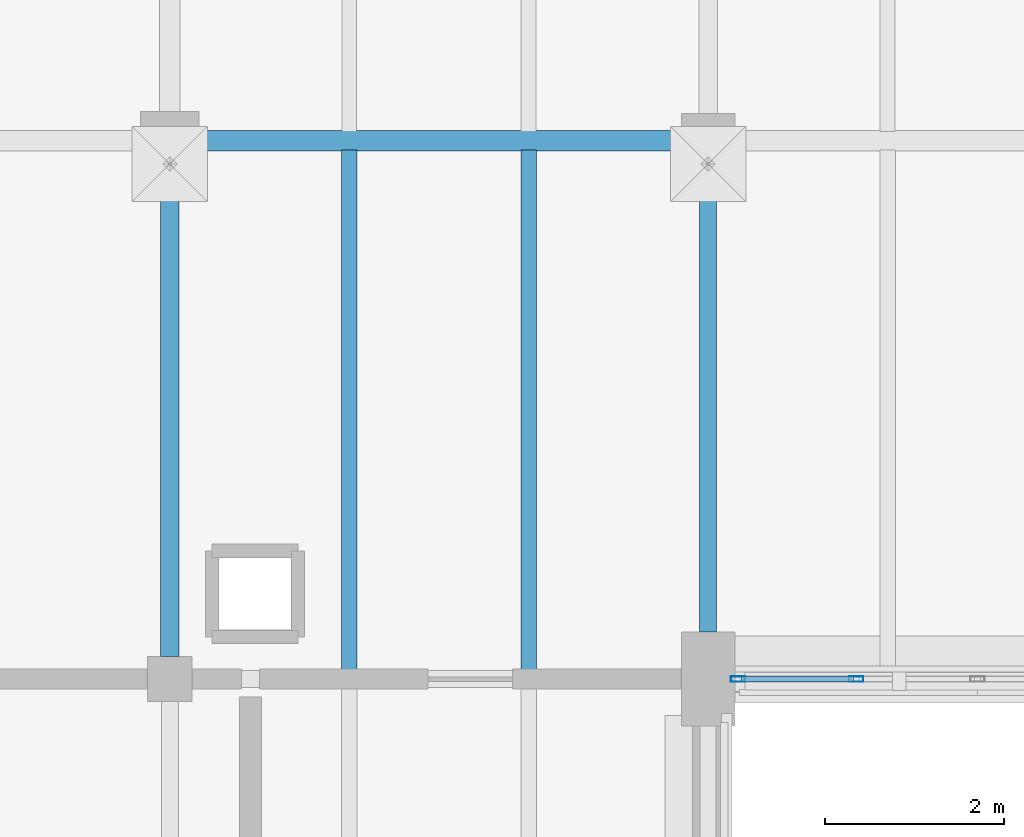
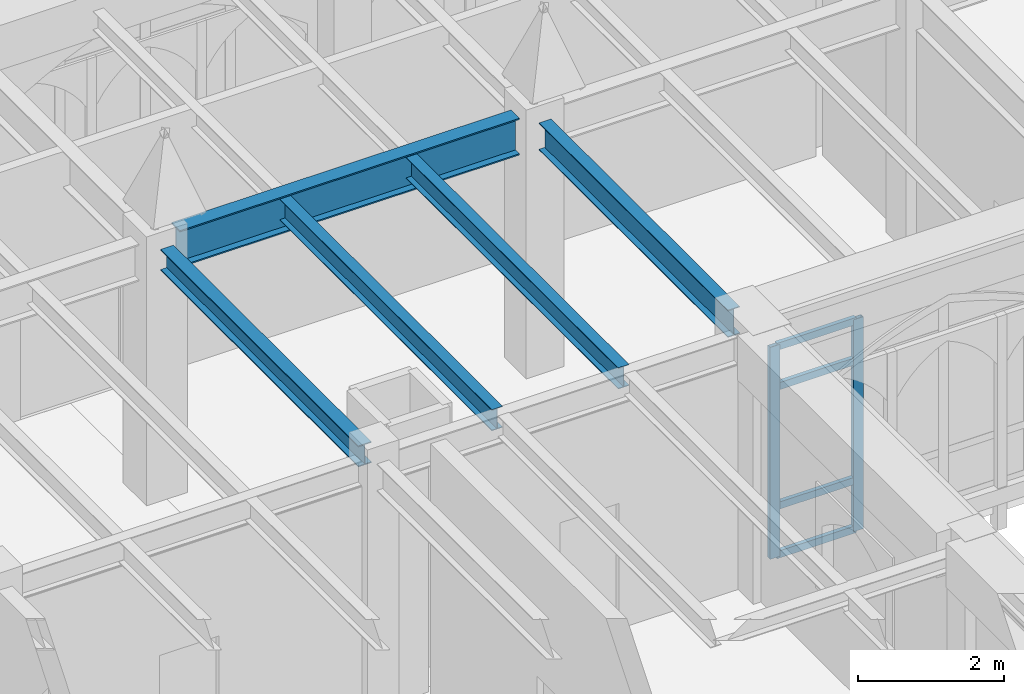
# One storey, part 51 of 143: 6 members, 5 beams, 1 element without a shape of its own.
"""IFC4 building model written with IfcOpenShell, lengths in metres."""

import ifcopenshell
import ifcopenshell.guid

model = None  # the IFC model being written
_history = None  # IfcOwnerHistory: only IFC2X3 demands one
_inside = {}  # id of a spatial element -> (the spatial element, [elements in it])
_under = {}  # id of a project, library or spatial element -> (it, [spatial elements below it])
_declared = {}  # id of a project -> (the project, [libraries it declares])
_typed = {}  # id of a type object -> (the type object, [elements of that type])
_made_of = {}  # id of a material, layer set ... -> (it, [elements and type objects made of it])


def new_model(schema):
    """Start an empty IFC model of exactly this schema.

    Asked for "IFC4X3", IfcOpenShell would pick the latest addendum, in which some entities
    have other attributes; the version numbers below select the first issue.
    IFC2X3 requires an IfcOwnerHistory on every rooted entity: one is made here for all.
    """
    global model, _history
    if schema == "IFC4X3":
        model = ifcopenshell.file(schema_version=(4, 3, 0, 0))
    else:
        model = ifcopenshell.file(schema=schema)
    _inside.clear()
    _under.clear()
    _declared.clear()
    _typed.clear()
    _made_of.clear()
    _history = None
    if model.schema == "IFC2X3":
        org = make("IfcOrganization", Name="unknown")
        user = make(
            "IfcPersonAndOrganization",
            ThePerson=make("IfcPerson", FamilyName="unknown"),
            TheOrganization=org,
        )
        app = make(
            "IfcApplication",
            ApplicationDeveloper=org,
            Version="unknown",
            ApplicationFullName="unknown",
            ApplicationIdentifier="unknown",
        )
        _history = make(
            "IfcOwnerHistory",
            OwningUser=user,
            OwningApplication=app,
            ChangeAction="ADDED",
            CreationDate=0,
        )
    return model


def make(cls, **values):
    """One entity of the class cls with the attributes given. An attribute that is None is left unset."""
    return model.create_entity(
        cls, **{name: value for name, value in values.items() if value is not None}
    )


def rooted(cls, **values):
    """An entity with a GlobalId (a new one), such as an element, a storey or a relation."""
    return make(cls, GlobalId=ifcopenshell.guid.new(), OwnerHistory=_history, **values)


def si_unit(unit_type, name, prefix=None):
    """IfcSIUnit, for example si_unit("LENGTHUNIT", "METRE", prefix="MILLI")."""
    return make("IfcSIUnit", UnitType=unit_type, Prefix=prefix, Name=name)


def assignment(units):
    """IfcUnitAssignment: the units of a project."""
    return None if units is None else make("IfcUnitAssignment", Units=units)


def point(xyz):
    """IfcCartesianPoint."""
    return None if xyz is None else make("IfcCartesianPoint", Coordinates=xyz)


def direction(xyz):
    """IfcDirection."""
    return None if xyz is None else make("IfcDirection", DirectionRatios=xyz)


def frame(location, z_axis=None, x_axis=None):
    """IfcAxis2Placement3D, a coordinate frame: its origin and axes. An axis left out is left unset."""
    return make(
        "IfcAxis2Placement3D",
        Location=point(location),
        Axis=direction(z_axis),
        RefDirection=direction(x_axis),
    )


def frame_2d(location, x_axis=None):
    """IfcAxis2Placement2D, a coordinate frame in the plane: its origin and x axis."""
    return make(
        "IfcAxis2Placement2D", Location=point(location), RefDirection=direction(x_axis)
    )


def origin():
    """The frame at (0, 0, 0) with its axes left unset."""
    return frame((0.0, 0.0, 0.0))


def origin_2d():
    """The frame at (0, 0) in the plane with its x axis left unset."""
    return frame_2d((0.0, 0.0))


def place(relative_to, where):
    """IfcLocalPlacement: puts the frame where relative to a parent placement (None: the world)."""
    return make(
        "IfcLocalPlacement", PlacementRelTo=relative_to, RelativePlacement=where
    )


def context(
    kind, dimensions, precision=None, world=None, true_north=None, identifier=None
):
    """IfcGeometricRepresentationContext, for example the 3D "Model" context."""
    return make(
        "IfcGeometricRepresentationContext",
        ContextIdentifier=identifier,
        ContextType=kind,
        CoordinateSpaceDimension=dimensions,
        Precision=precision,
        WorldCoordinateSystem=world,
        TrueNorth=true_north,
    )


def subcontext(parent, identifier, kind, view, scale=None):
    """IfcGeometricRepresentationSubContext, for example "Body" below "Model"."""
    return make(
        "IfcGeometricRepresentationSubContext",
        ContextIdentifier=identifier,
        ContextType=kind,
        ParentContext=parent,
        TargetScale=scale,
        TargetView=view,
    )


def project(units=None, contexts=None):
    """IfcProject with its units and contexts."""
    return rooted(
        "IfcProject",
        Name="project",
        RepresentationContexts=contexts,
        UnitsInContext=assignment(units),
    )


def spatial(cls, under=None, at=None, **own):
    """A site, building, storey or space (cls), placed at a placement, below another one or the project."""
    s = rooted(cls, ObjectPlacement=at, **own)
    if under is not None:
        _under.setdefault(under.id(), (under, []))[1].append(s)
    return s


def profile(cls, at=None, kind="AREA", **sizes):
    """A parametric profile (cls). Its sizes go by their IFC names, for example OverallWidth=200.0."""
    return make(cls, ProfileType=kind, Position=at, **sizes)


def hollow_rectangle(**sizes):
    """IfcRectangleHollowProfileDef."""
    return profile("IfcRectangleHollowProfileDef", **sizes)


def i_section(**sizes):
    """IfcIShapeProfileDef."""
    return profile("IfcIShapeProfileDef", **sizes)


def extrude(swept, where, along, depth):
    """IfcExtrudedAreaSolid: the profile swept, set in the frame where, extruded along a direction by depth."""
    return make(
        "IfcExtrudedAreaSolid",
        SweptArea=swept,
        Position=where,
        ExtrudedDirection=direction(along),
        Depth=depth,
    )


def shape(context_of_items, identifier, shape_type, items):
    """IfcShapeRepresentation: the items that make up one representation, for example the "Body"."""
    return make(
        "IfcShapeRepresentation",
        ContextOfItems=context_of_items,
        RepresentationIdentifier=identifier,
        RepresentationType=shape_type,
        Items=items,
    )


def material(Name=None, Category=None):
    """IfcMaterial."""
    return make("IfcMaterial", Name=Name, Category=Category)


def layer(
    of_material, thickness, ventilated=None, Name=None, Category=None, Priority=None
):
    """IfcMaterialLayer: one layer of a wall or slab, of a material (None: an air gap)."""
    return make(
        "IfcMaterialLayer",
        Material=of_material,
        LayerThickness=thickness,
        IsVentilated=ventilated,
        Name=Name,
        Category=Category,
        Priority=Priority,
    )


def layer_set(layers, Name=None):
    """IfcMaterialLayerSet."""
    return make("IfcMaterialLayerSet", MaterialLayers=layers, LayerSetName=Name)


def material_profile(
    of_material, cross_section, Name=None, Category=None, Priority=None
):
    """IfcMaterialProfile: a cross section and its material."""
    return make(
        "IfcMaterialProfile",
        Name=Name,
        Material=of_material,
        Profile=cross_section,
        Priority=Priority,
        Category=Category,
    )


def profile_set(profiles, Name=None, composite=None):
    """IfcMaterialProfileSet."""
    return make(
        "IfcMaterialProfileSet",
        Name=Name,
        MaterialProfiles=profiles,
        CompositeProfile=composite,
    )


def made_of(thing, what):
    """Note that an element or type object is made of a material, layer set ...; save() writes the relation."""
    if what is not None:
        _made_of.setdefault(what.id(), (what, []))[1].append(thing)
    return thing


def type_object(cls, material=None, **own):
    """A type object (cls), such as IfcWallType, which elements share."""
    return made_of(rooted(cls, **own), material)


def element(
    cls,
    number,
    at=None,
    inside=None,
    cuts=None,
    type_object=None,
    material=None,
    context=None,
    identifier="Body",
    shape_type=None,
    held_by="IfcProductDefinitionShape",
    body=None,
    shapes=None,
    **own,
):
    """One element of the class cls, such as IfcWall. Its Tag is "e" and its number.

    at: its placement. inside: the storey or other place that contains it. cuts: it is an
    opening in that element (IfcRelVoidsElement). A single representation is given by context,
    identifier, shape_type and body (its items); several are given by shapes. held_by: the class
    of the entity that holds the representations. save() writes the other relations.
    """
    e = rooted(cls, Tag="e%d" % number, ObjectPlacement=at, **own)
    if body is not None:
        shapes = [shape(context, identifier, shape_type, body)]
    if shapes is not None:
        e.Representation = make(held_by, Representations=shapes)
    if inside is not None:
        _inside.setdefault(inside.id(), (inside, []))[1].append(e)
    if cuts is not None:
        rooted(
            "IfcRelVoidsElement", RelatingBuildingElement=cuts, RelatedOpeningElement=e
        )
    if type_object is not None:
        _typed.setdefault(type_object.id(), (type_object, []))[1].append(e)
    return made_of(e, material)


def aggregate(whole, parts):
    """IfcRelAggregates: a whole, such as a stair, and the parts it consists of."""
    return rooted("IfcRelAggregates", RelatingObject=whole, RelatedObjects=parts)


def save(model, path):
    """Write the relations noted so far, then the file.

    IfcRelAggregates (storeys below a building ...), IfcRelContainedInSpatialStructure (elements
    in a storey), IfcRelDefinesByType, IfcRelAssociatesMaterial and IfcRelDeclares: one each for
    every whole, place, type object, material and project.
    """
    for whole, parts in _under.values():
        aggregate(whole, parts)
    for where, things in _inside.values():
        rooted(
            "IfcRelContainedInSpatialStructure",
            RelatedElements=things,
            RelatingStructure=where,
        )
    for kind, things in _typed.values():
        rooted("IfcRelDefinesByType", RelatedObjects=things, RelatingType=kind)
    for what, things in _made_of.values():
        rooted("IfcRelAssociatesMaterial", RelatedObjects=things, RelatingMaterial=what)
    for by, libraries in _declared.values():
        rooted("IfcRelDeclares", RelatingContext=by, RelatedDefinitions=libraries)
    model.write(path)


model = new_model("IFC4")

# Units and contexts
model_context = context("Model", 3, precision=1e-05, world=origin(), true_north=direction((0.0, 1.0)))
body_context = subcontext(model_context, "Body", "Model", "MODEL_VIEW")
ifc_project = project(units=[si_unit("LENGTHUNIT", "METRE"), si_unit("AREAUNIT", "SQUARE_METRE"), si_unit("VOLUMEUNIT", "CUBIC_METRE"), si_unit("PLANEANGLEUNIT", "RADIAN"), si_unit("MASSUNIT", "GRAM", prefix="KILO")], contexts=[model_context])

# Site, building, storey
site_placement = place(None, origin())
site = spatial("IfcSite", under=ifc_project, at=site_placement, CompositionType="ELEMENT")
building_placement = place(site_placement, origin())
building = spatial("IfcBuilding", under=site, at=building_placement, Name="Cumevento Cable Car Station", CompositionType="ELEMENT")
storey_placement = place(building_placement, frame((0.0, 0.0, 9.0)))
storey = spatial("IfcBuildingStorey", under=building, at=storey_placement, Name="L03", CompositionType="ELEMENT", Elevation=9.0)

# Curtain wall, members
ifc_material_1 = material(Name="Anodised Bronze Aluminium AW-6063-T6", Category="aluminium")
ifc_layer = layer(ifc_material_1, 0.219970703125)
ifc_layer_set = layer_set([ifc_layer], Name="Anodised Bronze Aluminium AW-6063-T6")
curtain_wall_type = type_object("IfcCurtainWallType", Name="Lancet Curtain Wall CW-11 1450", PredefinedType="NOTDEFINED", material=ifc_layer_set)
curtain_wall_placement = place(storey_placement, origin())
curtain_wall = element("IfcCurtainWall", 1, at=curtain_wall_placement, inside=storey, type_object=curtain_wall_type, Name="Lancet Curtain Wall CW-11 L03 #106", PredefinedType="NOTDEFINED")
ifc_material_2 = material(Name="Anodised Bronze Aluminium AW-6063-T6", Category="aluminium")
ifc_material_profile_1 = material_profile(ifc_material_2, hollow_rectangle(XDim=0.06494140625, YDim=0.159912109375, WallThickness=0.00390625, at=origin_2d()), Name="ALUM65x160x4")
ifc_profile_set_1 = profile_set([ifc_material_profile_1], Name="Anodised Bronze Aluminium AW-6063-T6")
member_type_1 = type_object("IfcMemberType", Name="Curtain Mullion CWM-01 ALUM65x160x4", PredefinedType="MULLION", material=ifc_profile_set_1)
member_1_placement = place(storey_placement, frame((83.64990234375, 45.0, 0.260009765625), z_axis=(0.0, 0.0, 1.0), x_axis=(0.0, -1.0, 0.0)))
member_1 = element("IfcMember", 2, at=member_1_placement, type_object=member_type_1, Name="CW-11 mullion 4", PredefinedType="MULLION", context=body_context, shape_type="SweptSolid", body=[
    extrude(hollow_rectangle(XDim=0.06494140625, YDim=0.159912109375, WallThickness=0.00390625, at=origin_2d()), origin(), (0.0, 0.0, 1.0), 3.549072265625),
])
member_2_placement = place(storey_placement, frame((82.33251953125, 45.0, 0.260009765625), z_axis=(0.0, 0.0, 1.0), x_axis=(0.0, -1.0, 0.0)))
member_2 = element("IfcMember", 3, at=member_2_placement, type_object=member_type_1, Name="CW-11 mullion 5", PredefinedType="MULLION", context=body_context, shape_type="SweptSolid", body=[
    extrude(hollow_rectangle(XDim=0.06494140625, YDim=0.159912109375, WallThickness=0.00390625, at=origin_2d()), origin(), (0.0, 0.0, 1.0), 3.549072265625),
])
ifc_material_3 = material(Name="Anodised Bronze Aluminium AW-6063-T6", Category="aluminium")
ifc_material_profile_2 = material_profile(ifc_material_3, hollow_rectangle(XDim=0.06494140625, YDim=0.1201171875, WallThickness=0.00390625, at=origin_2d()), Name="ALUT65x120x4")
ifc_profile_set_2 = profile_set([ifc_material_profile_2], Name="Anodised Bronze Aluminium AW-6063-T6")
member_type_2 = type_object("IfcMemberType", Name="Curtain Transom CWT-01 ALUT65x120x4", PredefinedType="USERDEFINED", material=ifc_profile_set_2)
member_3_placement = place(storey_placement, frame((83.617431640625, 45.0, 0.29248046875), z_axis=(-1.0, 0.0, 0.0), x_axis=(0.0, -1.0, 0.0)))
member_3 = element("IfcMember", 4, at=member_3_placement, type_object=member_type_2, Name="CW-11 transom 4.1", ObjectType="TRANSOM", PredefinedType="USERDEFINED", context=body_context, shape_type="SweptSolid", body=[
    extrude(hollow_rectangle(XDim=0.06494140625, YDim=0.1201171875, WallThickness=0.00390625, at=origin_2d()), origin(), (0.0, 0.0, 1.0), 1.25244140625),
])
member_4_placement = place(storey_placement, frame((83.617431640625, 45.0, 1.110107421875), z_axis=(-1.0, 0.0, 0.0), x_axis=(0.0, -1.0, 0.0)))
member_4 = element("IfcMember", 5, at=member_4_placement, type_object=member_type_2, Name="CW-11 transom 4.2", ObjectType="TRANSOM", PredefinedType="USERDEFINED", context=body_context, shape_type="SweptSolid", body=[
    extrude(hollow_rectangle(XDim=0.06494140625, YDim=0.1201171875, WallThickness=0.00390625, at=origin_2d()), origin(), (0.0, 0.0, 1.0), 1.25244140625),
])
member_5_placement = place(storey_placement, frame((83.617431640625, 45.0, 3.10888671875), z_axis=(-1.0, 0.0, 0.0), x_axis=(0.0, -1.0, 0.0)))
member_5 = element("IfcMember", 6, at=member_5_placement, type_object=member_type_2, Name="CW-11 transom 4.3", ObjectType="TRANSOM", PredefinedType="USERDEFINED", context=body_context, shape_type="SweptSolid", body=[
    extrude(hollow_rectangle(XDim=0.06494140625, YDim=0.1201171875, WallThickness=0.00390625, at=origin_2d()), origin(), (0.0, 0.0, 1.0), 1.25244140625),
])
member_6_placement = place(storey_placement, frame((83.617431640625, 45.0, 3.776611328125), z_axis=(-1.0, 0.0, 0.0), x_axis=(0.0, -1.0, 0.0)))
member_6 = element("IfcMember", 7, at=member_6_placement, type_object=member_type_2, Name="CW-11 transom 4.4", ObjectType="TRANSOM", PredefinedType="USERDEFINED", context=body_context, shape_type="SweptSolid", body=[
    extrude(hollow_rectangle(XDim=0.06494140625, YDim=0.1201171875, WallThickness=0.00390625, at=origin_2d()), origin(), (0.0, 0.0, 1.0), 1.25244140625),
])
aggregate(curtain_wall, [member_1, member_2, member_3, member_4, member_5, member_6])

# Beams
ifc_material_4 = material(Name="Steel ASTM A572 Grade 50", Category="steel")
ifc_material_profile_3 = material_profile(ifc_material_4, i_section(OverallWidth=0.22998046875, OverallDepth=0.616943359375, WebThickness=0.01318359375, FlangeThickness=0.022216796875, at=origin_2d()), Name="W610x140.0")
ifc_profile_set_3 = profile_set([ifc_material_profile_3], Name="Steel ASTM A572 Grade 50")
beam_type_1 = type_object("IfcBeamType", Name="Structural Beam BM-01 W610x140.0", PredefinedType="BEAM", material=ifc_profile_set_3)
beam_1_placement = place(storey_placement, frame((76.324951171875, 51.0, 3.943603515625), z_axis=(1.0, 0.0, 0.0), x_axis=(0.0, 1.0, 0.0)))
element("IfcBeam", 8, at=beam_1_placement, inside=storey, type_object=beam_type_1, Name="Beam BM-01 L03 #1069", PredefinedType="BEAM", context=body_context, shape_type="SweptSolid", body=[
    extrude(i_section(OverallWidth=0.22998046875, OverallDepth=0.616943359375, WebThickness=0.01318359375, FlangeThickness=0.022216796875, at=origin_2d()), origin(), (0.0, 0.0, 1.0), 5.375),
])
ifc_material_5 = material(Name="Steel ASTM A572 Grade 50", Category="steel")
ifc_material_profile_4 = material_profile(ifc_material_5, i_section(OverallWidth=0.18994140625, OverallDepth=0.45703125, WebThickness=0.009033203125, FlangeThickness=0.014404296875, at=origin_2d()), Name="W460x74.0")
ifc_profile_set_4 = profile_set([ifc_material_profile_4], Name="Steel ASTM A572 Grade 50")
beam_type_2 = type_object("IfcBeamType", Name="Structural Beam BM-04 W460x74.0", PredefinedType="BEAM", material=ifc_profile_set_4)
beam_2_placement = place(storey_placement, frame((82.0, 45.52490234375, 3.987548828125), z_axis=(0.0, 1.0, 0.0), x_axis=(-1.0, 0.0, 0.0)))
element("IfcBeam", 9, at=beam_2_placement, inside=storey, type_object=beam_type_2, Name="Beam BM-04 L03 #1079", PredefinedType="BEAM", context=body_context, shape_type="SweptSolid", body=[
    extrude(i_section(OverallWidth=0.18994140625, OverallDepth=0.45703125, WebThickness=0.009033203125, FlangeThickness=0.014404296875, at=origin_2d()), origin(), (0.0, 0.0, 1.0), 5.175048828125),
])
ifc_material_6 = material(Name="Steel ASTM A572 Grade 50", Category="steel")
ifc_material_profile_5 = material_profile(ifc_material_6, i_section(OverallWidth=0.205078125, OverallDepth=0.35400390625, WebThickness=0.009521484375, FlangeThickness=0.016845703125, at=origin_2d()), Name="W360x79.0")
ifc_profile_set_5 = profile_set([ifc_material_profile_5], Name="Steel ASTM A572 Grade 50")
beam_type_3 = type_object("IfcBeamType", Name="Structural Beam BM-05 W360x79.0", PredefinedType="BEAM", material=ifc_profile_set_5)
beam_3_placement = place(storey_placement, frame((76.0, 45.25, 4.0390625), z_axis=(0.0, 1.0, 0.0), x_axis=(-1.0, 0.0, 0.0)))
element("IfcBeam", 10, at=beam_3_placement, inside=storey, type_object=beam_type_3, Name="Beam BM-05 L03 #1077", PredefinedType="BEAM", context=body_context, shape_type="SweptSolid", body=[
    extrude(i_section(OverallWidth=0.205078125, OverallDepth=0.35400390625, WebThickness=0.009521484375, FlangeThickness=0.016845703125, at=origin_2d()), origin(), (0.0, 0.0, 1.0), 5.425048828125),
])
ifc_material_7 = material(Name="Steel ASTM A572 Grade 50", Category="steel")
ifc_material_profile_6 = material_profile(ifc_material_7, i_section(OverallWidth=0.1708984375, OverallDepth=0.35498046875, WebThickness=0.007080078125, FlangeThickness=0.01171875, at=origin_2d()), Name="W360x51.0")
ifc_profile_set_6 = profile_set([ifc_material_profile_6], Name="Steel ASTM A572 Grade 50")
beam_type_4 = type_object("IfcBeamType", Name="Structural Joist JS-01 W360x51.0", PredefinedType="JOIST", material=ifc_profile_set_6)
for number, where, z_axis, x_axis, name in (
    (11, (78.0, 45.083984375, 4.03857421875), (0.0, 1.0, 0.0), (-1.0, 0.0, 0.0), "Composite Floor Joist JS-01 L03 #1256"),
    (12, (80.0, 45.083984375, 4.03857421875), (0.0, 1.0, 0.0), (-1.0, 0.0, 0.0), "Composite Floor Joist JS-01 L03 #1258"),
):
    element("IfcBeam", number, at=place(storey_placement, frame(where, z_axis=z_axis, x_axis=x_axis)), inside=storey, type_object=beam_type_4, Name=name, PredefinedType="JOIST", context=body_context, shape_type="SweptSolid", body=[
        extrude(i_section(OverallWidth=0.1708984375, OverallDepth=0.35498046875, WebThickness=0.007080078125, FlangeThickness=0.01171875, at=origin_2d()), origin(), (0.0, 0.0, 1.0), 5.81298828125),
    ])

save(model, "model.ifc")
